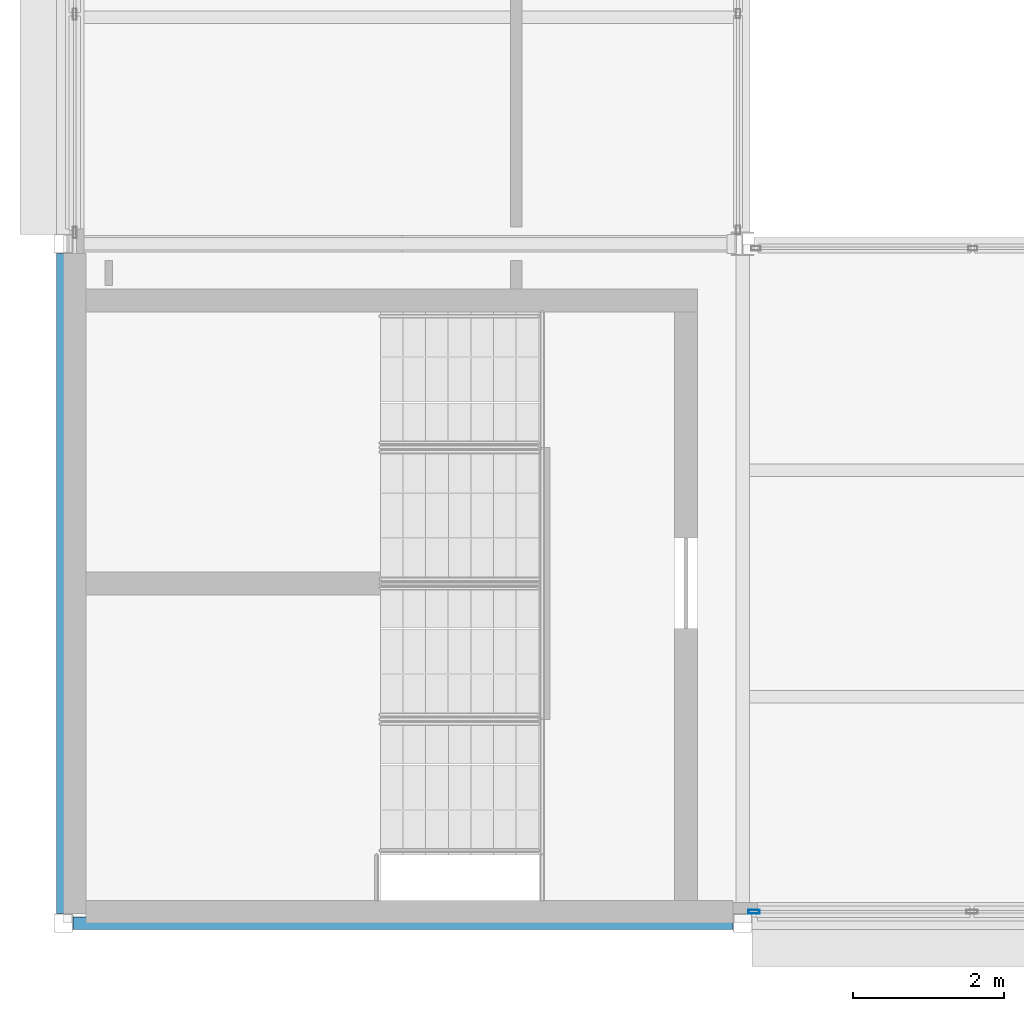
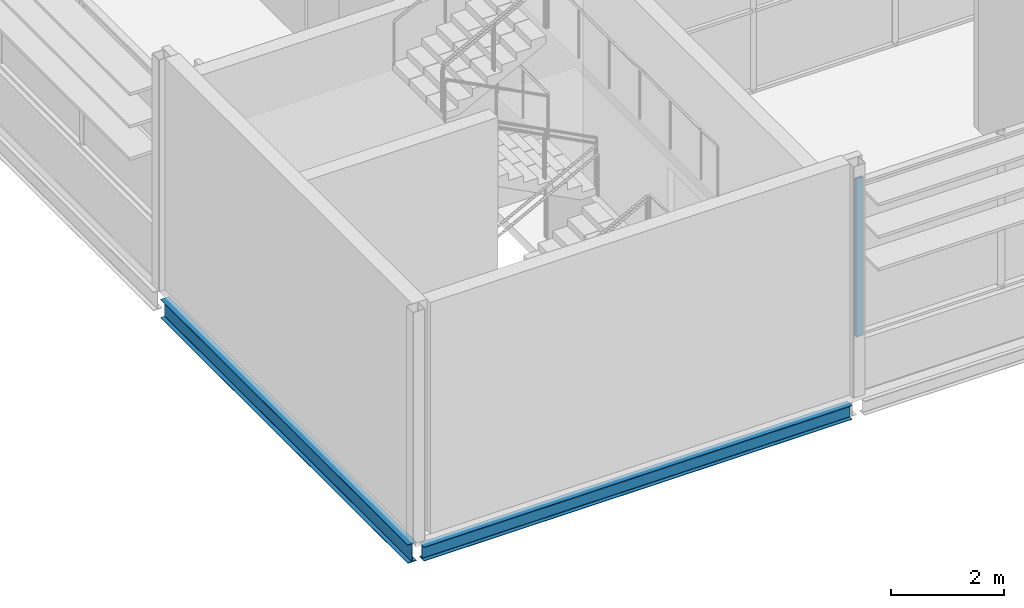
# One storey, part 9 of 94: 2 beams, 1 member, 1 element without a shape of its own.
"""IFC4 building model written with IfcOpenShell, lengths in metres."""

from ifc_helpers import new_model, si_unit, direction, frame, origin, origin_2d, place, context, subcontext, project, spatial, hollow_rectangle, i_section, extrude, material, layer, layer_set, material_profile, profile_set, type_object, element, aggregate, save


model = new_model("IFC4")

# Units and contexts
model_context = context("Model", 3, precision=1e-05, world=origin(), true_north=direction((0.0, 1.0)))
body_context = subcontext(model_context, "Body", "Model", "MODEL_VIEW")
ifc_project = project(units=[si_unit("LENGTHUNIT", "METRE"), si_unit("AREAUNIT", "SQUARE_METRE"), si_unit("VOLUMEUNIT", "CUBIC_METRE"), si_unit("PLANEANGLEUNIT", "RADIAN"), si_unit("MASSUNIT", "GRAM", prefix="KILO")], contexts=[model_context])

# Site, building, storey
site_placement = place(None, origin())
site = spatial("IfcSite", under=ifc_project, at=site_placement, CompositionType="ELEMENT")
building_placement = place(site_placement, origin())
building = spatial("IfcBuilding", under=site, at=building_placement, Name="Shorebreak Coast Museum", CompositionType="ELEMENT")
storey_placement = place(building_placement, frame((0.0, 0.0, 31.0)))
storey = spatial("IfcBuildingStorey", under=building, at=storey_placement, Name="L05", CompositionType="ELEMENT", Elevation=31.0)

# Beams
ifc_material_1 = material(Name="Steel Grade 300", Category="steel")
ifc_material_profile_1 = material_profile(ifc_material_1, i_section(OverallWidth=0.166015625, OverallDepth=0.30712890625, WebThickness=0.006591796875, FlangeThickness=0.01171875, FilletRadius=0.011474609375, at=origin_2d()), Name="310UB46.2")
ifc_profile_set_1 = profile_set([ifc_material_profile_1], Name="Steel Grade 300")
beam_type_1 = type_object("IfcBeamType", Name="Floor girder east-west 310UB46.2", PredefinedType="BEAM", material=ifc_profile_set_1)
beam_1_placement = place(storey_placement, frame((54.125, 54.0, -0.32861328125), z_axis=(1.0, 0.0, 0.0), x_axis=(0.0, 1.0, 0.0)))
element("IfcBeam", 1, at=beam_1_placement, inside=storey, type_object=beam_type_1, Name="Floor girder east-west L05 7G", PredefinedType="BEAM", context=body_context, shape_type="SweptSolid", body=[
    extrude(i_section(OverallWidth=0.166015625, OverallDepth=0.30712890625, WebThickness=0.006591796875, FlangeThickness=0.01171875, FilletRadius=0.011474609375, at=origin_2d()), origin(), (0.0, 0.0, 1.0), 8.75),
])
ifc_material_2 = material(Name="Steel Grade 300", Category="steel")
ifc_material_profile_2 = material_profile(ifc_material_2, i_section(OverallWidth=0.177978515625, OverallDepth=0.406494140625, WebThickness=0.0078125, FlangeThickness=0.0126953125, FilletRadius=0.011474609375, at=origin_2d()), Name="410UB59.7")
ifc_profile_set_2 = profile_set([ifc_material_profile_2], Name="Steel Grade 300")
beam_type_2 = type_object("IfcBeamType", Name="Floor girder north-south 410UB59.7", PredefinedType="BEAM", material=ifc_profile_set_2)
beam_2_placement = place(storey_placement, frame((54.0, 54.125, -0.378173828125), z_axis=(0.0, 1.0, 0.0), x_axis=(-1.0, 0.0, 0.0)))
element("IfcBeam", 2, at=beam_2_placement, inside=storey, type_object=beam_type_2, Name="Floor girder north-south L05 7G", PredefinedType="BEAM", context=body_context, shape_type="SweptSolid", body=[
    extrude(i_section(OverallWidth=0.177978515625, OverallDepth=0.406494140625, WebThickness=0.0078125, FlangeThickness=0.0126953125, FilletRadius=0.011474609375, at=origin_2d()), origin(), (0.0, 0.0, 1.0), 8.75),
])

# Curtain wall, member
ifc_material_3 = material(Name="Aluminium", Category="aluminium")
ifc_layer = layer(ifc_material_3, 0.14990234375)
ifc_layer_set = layer_set([ifc_layer], Name="Aluminium")
curtain_wall_type = type_object("IfcCurtainWallType", Name="Storefront curtain wall", PredefinedType="NOTDEFINED", material=ifc_layer_set)
curtain_wall_placement = place(storey_placement, origin())
curtain_wall = element("IfcCurtainWall", 3, at=curtain_wall_placement, inside=storey, type_object=curtain_wall_type, Name="Atrium Hall glazing L05 S 13", PredefinedType="NOTDEFINED")
ifc_material_4 = material(Name="Aluminium", Category="aluminium")
ifc_material_profile_3 = material_profile(ifc_material_4, hollow_rectangle(XDim=0.050048828125, YDim=0.14990234375, WallThickness=0.00390625, at=origin_2d()), Name="AL 150x50 RHS")
ifc_profile_set_3 = profile_set([ifc_material_profile_3], Name="Aluminium")
member_type = type_object("IfcMemberType", Name="Storefront mullion 50 x 150", PredefinedType="MULLION", material=ifc_profile_set_3)
member_placement = place(storey_placement, frame((63.14990234375, 54.14990234375, 1.10009765625), z_axis=(0.0, 0.0, 1.0), x_axis=(0.0, 1.0, 0.0)))
member = element("IfcMember", 4, at=member_placement, type_object=member_type, Name="CW5 mullion 1", PredefinedType="MULLION", context=body_context, shape_type="SweptSolid", body=[
    extrude(hollow_rectangle(XDim=0.050048828125, YDim=0.14990234375, WallThickness=0.00390625, at=origin_2d()), origin(), (0.0, 0.0, 1.0), 3.417724609375),
])
aggregate(curtain_wall, [member])

save(model, "model.ifc")
